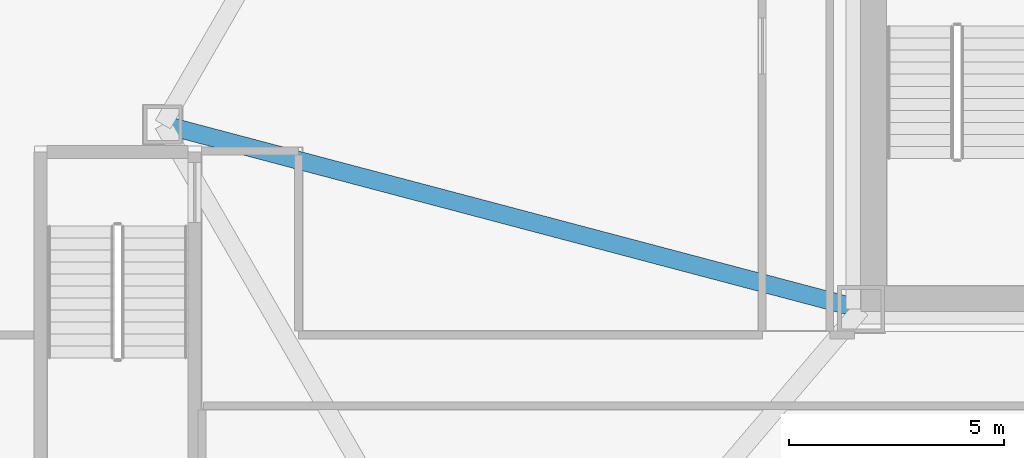
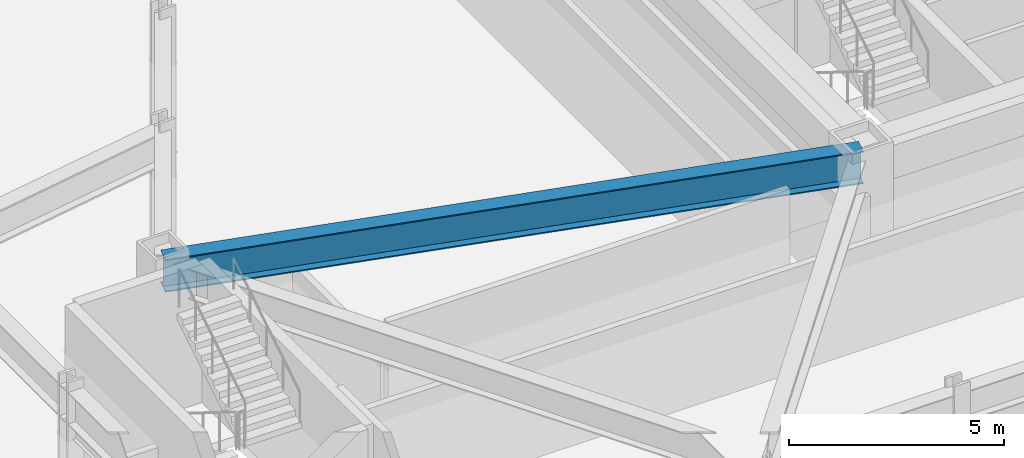
# One storey, part 3 of 22: 1 beam.
"""IFC4 building model written with IfcOpenShell, lengths in metres."""

from ifc_helpers import new_model, si_unit, direction, frame, origin, origin_2d, place, context, subcontext, project, spatial, i_section, extrude, material, material_profile, profile_set, type_object, element, save


model = new_model("IFC4")

# Units and contexts
model_context = context("Model", 3, precision=1e-05, world=origin(), true_north=direction((0.0, 1.0)))
body_context = subcontext(model_context, "Body", "Model", "MODEL_VIEW")
ifc_project = project(units=[si_unit("LENGTHUNIT", "METRE"), si_unit("AREAUNIT", "SQUARE_METRE"), si_unit("VOLUMEUNIT", "CUBIC_METRE"), si_unit("PLANEANGLEUNIT", "RADIAN"), si_unit("MASSUNIT", "GRAM", prefix="KILO")], contexts=[model_context])

# Site, building, storey
site_placement = place(None, origin())
site = spatial("IfcSite", under=ifc_project, at=site_placement, CompositionType="ELEMENT")
building_placement = place(site_placement, origin())
building = spatial("IfcBuilding", under=site, at=building_placement, Name="Oramaril Tower", CompositionType="ELEMENT")
storey_placement = place(building_placement, frame((0.0, 0.0, 14.10009765625)))
storey = spatial("IfcBuildingStorey", under=building, at=storey_placement, Name="L03", CompositionType="ELEMENT", Elevation=14.10009765625)

# Beam
ifc_material = material(Name="Steel ASTM A572 Gr 50", Category="steel")
ifc_material_profile = material_profile(ifc_material, i_section(OverallWidth=0.4189453125, OverallDepth=0.927001953125, WebThickness=0.019287109375, FlangeThickness=0.031982421875, at=origin_2d()), Name="W36X231")
ifc_profile_set = profile_set([ifc_material_profile], Name="Steel ASTM A572 Gr 50")
beam_type = type_object("IfcBeamType", Name="BT-PG2", PredefinedType="BEAM", material=ifc_profile_set)
beam_placement = place(storey_placement, frame((29.35009765625, 11.0, 3.456298828125), z_axis=(-0.966766980937, 0.255659157024, 0.0), x_axis=(-0.255659157024, -0.966766980937, 0.0)))
element("IfcBeam", 1, at=beam_placement, inside=storey, type_object=beam_type, Name="L03 Radial Primary Beam RB-01", PredefinedType="BEAM", context=body_context, shape_type="SweptSolid", body=[
    extrude(i_section(OverallWidth=0.4189453125, OverallDepth=0.927001953125, WebThickness=0.019287109375, FlangeThickness=0.031982421875, at=origin_2d()), origin(), (0.0, 0.0, 1.0), 16.819580078125),
])

save(model, "model.ifc")
